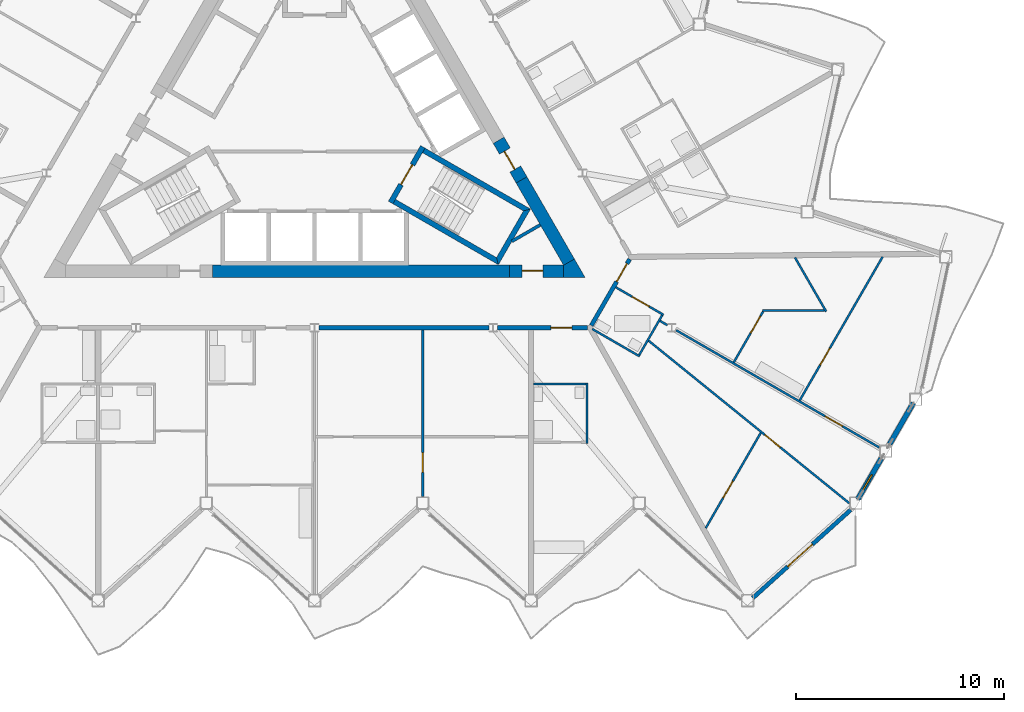
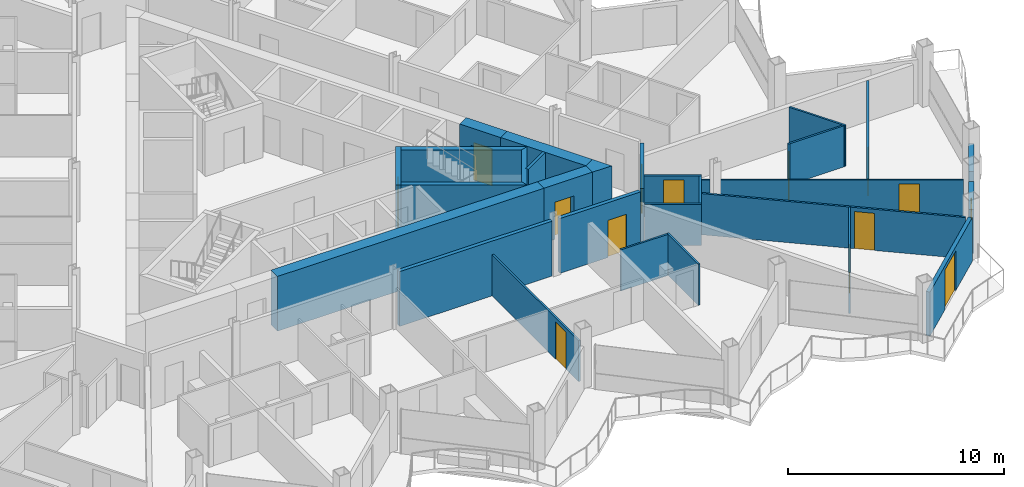
# One storey, part 16 of 27: 30 walls, 13 doors, 1 window, 14 openings.
"""IFC4 building model written with IfcOpenShell, lengths in metres."""

from ifc_helpers import new_model, si_unit, direction, frame, frame_2d, origin, place, context, subcontext, project, spatial, polyline, rectangle, outline, extrude, material, layer, layer_set, type_object, element, fill, save


model = new_model("IFC4")

# Units and contexts
model_context = context("Model", 3, precision=1e-05, world=origin(), true_north=direction((0.0, 1.0)))
body_context = subcontext(model_context, "Body", "Model", "MODEL_VIEW")
ifc_project = project(units=[si_unit("LENGTHUNIT", "METRE"), si_unit("AREAUNIT", "SQUARE_METRE"), si_unit("VOLUMEUNIT", "CUBIC_METRE"), si_unit("PLANEANGLEUNIT", "RADIAN"), si_unit("MASSUNIT", "GRAM", prefix="KILO")], contexts=[model_context])

# Site, building, storey
site_placement = place(None, origin())
site = spatial("IfcSite", under=ifc_project, at=site_placement, CompositionType="ELEMENT")
building_placement = place(site_placement, origin())
building = spatial("IfcBuilding", under=site, at=building_placement, Name="Cormorant Prow Tower", CompositionType="ELEMENT")
storey_placement = place(building_placement, frame((0.0, 0.0, 335.800048828125)))
storey = spatial("IfcBuildingStorey", under=building, at=storey_placement, Name="L75", CompositionType="ELEMENT", Elevation=335.800048828125)

# Walls
ifc_material_1 = material(Name="Gypsum board partition")
ifc_layer_1 = layer(ifc_material_1, 0.14990234375)
ifc_layer_set_1 = layer_set([ifc_layer_1], Name="Gypsum board partition")
wall_type_1 = type_object("IfcWallType", Name="Core partition 150", PredefinedType="PARTITIONING", material=ifc_layer_set_1)
wall_1_placement = place(storey_placement, frame((10.841796875, -4.96728515625, 0.0), z_axis=(0.0, 0.0, 1.0), x_axis=(-0.866098216386, -0.499873863663, 0.0)))
element("IfcWall", 1, at=wall_1_placement, inside=storey, type_object=wall_type_1, Name="Service room partition", PredefinedType="PARTITIONING", context=body_context, shape_type="SweptSolid", body=[
    extrude(rectangle(XDim=1.58203125, YDim=0.14990234375, at=frame_2d((0.791015625, 0.0))), origin(), (0.0, 0.0, 1.0), 3.099853515625),
])
ifc_material_2 = material(Name="Concrete 8000 psi", Category="concrete")
ifc_layer_2 = layer(ifc_material_2, 0.60009765625)
ifc_layer_set_2 = layer_set([ifc_layer_2], Name="Concrete 8000 psi")
wall_type_2 = type_object("IfcWallType", Name="Core shear wall 600", PredefinedType="SHEAR", material=ifc_layer_set_2)
wall_2_placement = place(storey_placement, frame((-4.89208984375, -7.20556640625, 0.0), z_axis=(0.0, 0.0, 1.0), x_axis=(1.0, 0.0, 0.0)))
element("IfcWall", 2, at=wall_2_placement, inside=storey, type_object=wall_type_2, Name="Core wall", PredefinedType="SHEAR", context=body_context, shape_type="SweptSolid", body=[
    extrude(rectangle(XDim=14.2607421875, YDim=0.60009765625, at=frame_2d((7.13037109375, 0.0))), origin(), (0.0, 0.0, 1.0), 3.099853515625),
])
wall_3_placement = place(storey_placement, frame((12.220703125, -6.755615234375, 0.0), z_axis=(0.0, 0.0, 1.0), x_axis=(-0.500020646047, 0.866013483456, 0.0)))
element("IfcWall", 3, at=wall_3_placement, inside=storey, type_object=wall_type_2, Name="Core wall", PredefinedType="SHEAR", context=body_context, shape_type="SweptSolid", body=[
    extrude(rectangle(XDim=4.559326171875, YDim=0.60009765625, at=frame_2d((2.27978515625, 0.0))), origin(), (0.0, 0.0, 1.0), 3.099853515625),
])
wall_4_placement = place(storey_placement, origin())
element("IfcWall", 4, at=wall_4_placement, inside=storey, type_object=wall_type_2, Name="Core wall corner", PredefinedType="SHEAR", context=body_context, shape_type="SweptSolid", body=[
    extrude(outline(polyline([(11.960693359375, -7.505615234375), (11.960693359375, -6.905517578125), (12.48046875, -6.605712890625), (13.0, -7.505615234375), (11.960693359375, -7.505615234375)])), origin(), (0.0, 0.0, 1.0), 3.099853515625),
])

# Wall, opening, door
wall_5_placement = place(storey_placement, frame((9.36865234375, -7.20556640625, 0.0), z_axis=(0.0, 0.0, 1.0), x_axis=(1.0, 0.0, 0.0)))
wall_5 = element("IfcWall", 5, at=wall_5_placement, inside=storey, type_object=wall_type_2, Name="Core wall door panel", PredefinedType="SHEAR", context=body_context, shape_type="SweptSolid", body=[
    extrude(rectangle(XDim=2.592041015625, YDim=0.60009765625, at=frame_2d((1.2958984375, 0.0))), origin(), (0.0, 0.0, 1.0), 3.099853515625),
])
opening_1_placement = place(wall_5_placement, frame((0.60009765625, 0.0, 0.0)))
opening_1 = element("IfcOpeningElement", 6, at=opening_1_placement, cuts=wall_5, Name="Opening L75-C15", PredefinedType="OPENING", context=body_context, shape_type="SweptSolid", body=[
    extrude(rectangle(XDim=1.0, YDim=2.10009765625, at=frame_2d((0.5, 1.050048828125))), frame((0.0, 0.31005859375, 0.0), z_axis=(0.0, -1.0, 0.0), x_axis=(1.0, 0.0, 0.0)), (0.0, 0.0, 1.0), 0.6201171875),
])
ifc_material_3 = material(Name="Painted steel", Category="steel")
door_type_1 = type_object("IfcDoorType", Name="Service door 1000x2100", OperationType="NOTDEFINED", PredefinedType="DOOR", material=ifc_material_3)
door_1_placement = place(opening_1_placement, origin())
door_1 = element("IfcDoor", 7, at=door_1_placement, inside=storey, type_object=door_type_1, Name="Core door, Telecom room", OperationType="SINGLE_SWING_RIGHT", OverallHeight=2.10009765625, OverallWidth=1.0, PredefinedType="DOOR", context=body_context, shape_type="SweptSolid", body=[
    extrude(rectangle(XDim=1.0, YDim=2.10009765625, at=frame_2d((0.5, 1.050048828125))), frame((0.0, 0.05517578125, 0.0), z_axis=(0.0, -1.0, 0.0), x_axis=(1.0, 0.0, 0.0)), (0.0, 0.0, 1.0), 0.050048828125),
])
fill(opening_1, door_1)

wall_6_placement = place(storey_placement, frame((9.94091796875, -2.80712890625, 0.0), z_axis=(0.0, 0.0, 1.0), x_axis=(-0.499994660107, 0.866028486751, 0.0)))
wall_6 = element("IfcWall", 8, at=wall_6_placement, inside=storey, type_object=wall_type_2, Name="Core wall door panel", PredefinedType="SHEAR", context=body_context, shape_type="SweptSolid", body=[
    extrude(rectangle(XDim=2.19970703125, YDim=0.60009765625, at=frame_2d((1.099853515625, 0.0))), origin(), (0.0, 0.0, 1.0), 3.099853515625),
])
opening_2_placement = place(wall_6_placement, frame((0.60009765625, 0.0, 0.0)))
opening_2 = element("IfcOpeningElement", 9, at=opening_2_placement, cuts=wall_6, Name="Opening L75-C17", PredefinedType="OPENING", context=body_context, shape_type="SweptSolid", body=[
    extrude(rectangle(XDim=1.0, YDim=2.10009765625, at=frame_2d((0.5, 1.050048828125))), frame((0.0, 0.31005859375, 0.0), z_axis=(0.0, -1.0, 0.0), x_axis=(1.0, 0.0, 0.0)), (0.0, 0.0, 1.0), 0.6201171875),
])
door_2_placement = place(opening_2_placement, origin())
door_2 = element("IfcDoor", 10, at=door_2_placement, inside=storey, type_object=door_type_1, Name="Core door, Electrical room", OperationType="SINGLE_SWING_LEFT", OverallHeight=2.10009765625, OverallWidth=1.0, PredefinedType="DOOR", context=body_context, shape_type="SweptSolid", body=[
    extrude(rectangle(XDim=1.0, YDim=2.10009765625, at=frame_2d((0.5, 1.050048828125))), frame((0.0, 0.05517578125, 0.0), z_axis=(0.0, -1.0, 0.0), x_axis=(1.0, 0.0, 0.0)), (0.0, 0.0, 1.0), 0.050048828125),
])
fill(opening_2, door_2)

# Wall
ifc_material_4 = material(Name="Gypsum board corridor wall")
ifc_layer_3 = layer(ifc_material_4, 0.199951171875)
ifc_layer_set_3 = layer_set([ifc_layer_3], Name="Gypsum board corridor wall")
wall_type_3 = type_object("IfcWallType", Name="Corridor wall 200", PredefinedType="PARTITIONING", material=ifc_layer_set_3)
wall_7_placement = place(storey_placement, frame((0.207763671875, -9.905517578125, 0.0), z_axis=(0.0, 0.0, 1.0), x_axis=(1.0, 0.0, 0.0)))
element("IfcWall", 11, at=wall_7_placement, inside=storey, type_object=wall_type_3, Name="Corridor wall", PredefinedType="PARTITIONING", context=body_context, shape_type="SweptSolid", body=[
    extrude(rectangle(XDim=8.1630859375, YDim=0.199951171875, at=frame_2d((4.08154296875, 0.0))), origin(), (0.0, 0.0, 1.0), 3.099853515625),
])

# Wall, opening, door
wall_8_placement = place(storey_placement, frame((8.7861328125, -9.905517578125, 0.0), z_axis=(0.0, 0.0, 1.0), x_axis=(1.0, 0.0, 0.0)))
wall_8 = element("IfcWall", 12, at=wall_8_placement, inside=storey, type_object=wall_type_3, Name="Corridor wall", PredefinedType="PARTITIONING", context=body_context, shape_type="SweptSolid", body=[
    extrude(rectangle(XDim=4.31982421875, YDim=0.199951171875, at=frame_2d((2.159912109375, 0.0))), origin(), (0.0, 0.0, 1.0), 3.099853515625),
])
opening_3_placement = place(wall_8_placement, frame((2.566162109375, 0.0, 0.0)))
opening_3 = element("IfcOpeningElement", 13, at=opening_3_placement, cuts=wall_8, Name="Opening L75-F13", PredefinedType="OPENING", context=body_context, shape_type="SweptSolid", body=[
    extrude(rectangle(XDim=1.0, YDim=2.10009765625, at=frame_2d((0.5, 1.050048828125))), frame((0.0, 0.10986328125, 0.0), z_axis=(0.0, -1.0, 0.0), x_axis=(1.0, 0.0, 0.0)), (0.0, 0.0, 1.0), 0.219970703125),
])
ifc_material_5 = material(Name="Timber door leaf", Category="wood")
door_type_2 = type_object("IfcDoorType", Name="Flat or room entrance door 1000x2100", OperationType="NOTDEFINED", PredefinedType="DOOR", material=ifc_material_5)
door_3_placement = place(opening_3_placement, origin())
door_3 = element("IfcDoor", 14, at=door_3_placement, inside=storey, type_object=door_type_2, Name="Studio living, kitchen and sleeping room door", OperationType="SINGLE_SWING_RIGHT", OverallHeight=2.10009765625, OverallWidth=1.0, PredefinedType="DOOR", context=body_context, shape_type="SweptSolid", body=[
    extrude(rectangle(XDim=1.0, YDim=2.10009765625, at=frame_2d((0.5, 1.050048828125))), frame((0.0, 0.02490234375, 0.0), z_axis=(0.0, -1.0, 0.0), x_axis=(1.0, 0.0, 0.0)), (0.0, 0.0, 1.0), 0.050048828125),
])
fill(opening_3, door_3)

wall_9_placement = place(storey_placement, frame((13.29345703125, -9.79736328125, 0.0), z_axis=(0.0, 0.0, 1.0), x_axis=(0.499967746641, 0.866044024469, 0.0)))
wall_9 = element("IfcWall", 15, at=wall_9_placement, inside=storey, type_object=wall_type_3, Name="Corridor wall", PredefinedType="PARTITIONING", context=body_context, shape_type="SweptSolid", body=[
    extrude(rectangle(XDim=3.676025390625, YDim=0.199951171875, at=frame_2d((1.837890625, 0.0))), origin(), (0.0, 0.0, 1.0), 3.099853515625),
])
opening_4_placement = place(wall_9_placement, frame((2.426025390625, 0.0, 0.0)))
opening_4 = element("IfcOpeningElement", 16, at=opening_4_placement, cuts=wall_9, Name="Opening L75-F15", PredefinedType="OPENING", context=body_context, shape_type="SweptSolid", body=[
    extrude(rectangle(XDim=1.0, YDim=2.10009765625, at=frame_2d((0.5, 1.050048828125))), frame((0.0, 0.10986328125, 0.0), z_axis=(0.0, -1.0, 0.0), x_axis=(1.0, 0.0, 0.0)), (0.0, 0.0, 1.0), 0.219970703125),
])
door_4_placement = place(opening_4_placement, origin())
door_4 = element("IfcDoor", 17, at=door_4_placement, inside=storey, type_object=door_type_2, Name="Living room door", OperationType="SINGLE_SWING_RIGHT", OverallHeight=2.10009765625, OverallWidth=1.0, PredefinedType="DOOR", context=body_context, shape_type="SweptSolid", body=[
    extrude(rectangle(XDim=1.0, YDim=2.10009765625, at=frame_2d((0.5, 1.050048828125))), frame((0.0, 0.02490234375, 0.0), z_axis=(0.0, -1.0, 0.0), x_axis=(1.0, 0.0, 0.0)), (0.0, 0.0, 1.0), 0.050048828125),
])
fill(opening_4, door_4)

ifc_material_6 = material(Name="Gypsum board partition")
ifc_layer_4 = layer(ifc_material_6, 0.10009765625)
ifc_layer_set_4 = layer_set([ifc_layer_4], Name="Gypsum board partition")
wall_type_4 = type_object("IfcWallType", Name="Internal partition 100", PredefinedType="PARTITIONING", material=ifc_layer_set_4)
wall_10_placement = place(storey_placement, frame((16.04443359375, -10.531005859375, 0.0), z_axis=(0.0, 0.0, 1.0), x_axis=(0.777141742697, -0.629325600749, 0.0)))
wall_10 = element("IfcWall", 18, at=wall_10_placement, inside=storey, type_object=wall_type_4, Name="Internal partition", PredefinedType="PARTITIONING", context=body_context, shape_type="SweptSolid", body=[
    extrude(rectangle(XDim=12.405517578125, YDim=0.10009765625, at=frame_2d((6.20263671875, 0.0))), origin(), (0.0, 0.0, 1.0), 2.330078125),
])
opening_5_placement = place(wall_10_placement, frame((7.18505859375, 0.0, 0.0)))
opening_5 = element("IfcOpeningElement", 19, at=opening_5_placement, cuts=wall_10, Name="Opening L75-F20", PredefinedType="OPENING", context=body_context, shape_type="SweptSolid", body=[
    extrude(rectangle(XDim=0.949951171875, YDim=2.10009765625, at=frame_2d((0.47509765625, 1.050048828125))), frame((0.0, 0.06005859375, 0.0), z_axis=(0.0, -1.0, 0.0), x_axis=(1.0, 0.0, 0.0)), (0.0, 0.0, 1.0), 0.1201171875),
])
ifc_material_7 = material(Name="Timber door leaf", Category="wood")
door_type_3 = type_object("IfcDoorType", Name="Bathroom door 950x2100", OperationType="NOTDEFINED", PredefinedType="DOOR", material=ifc_material_7)
door_5_placement = place(opening_5_placement, origin())
door_5 = element("IfcDoor", 20, at=door_5_placement, inside=storey, type_object=door_type_3, Name="Bedroom door", OperationType="SINGLE_SWING_LEFT", OverallHeight=2.10009765625, OverallWidth=0.949951171875, PredefinedType="DOOR", context=body_context, shape_type="SweptSolid", body=[
    extrude(rectangle(XDim=0.949951171875, YDim=2.10009765625, at=frame_2d((0.47509765625, 1.050048828125))), frame((0.0, 0.02490234375, 0.0), z_axis=(0.0, -1.0, 0.0), x_axis=(1.0, 0.0, 0.0)), (0.0, 0.0, 1.0), 0.050048828125),
])
fill(opening_5, door_5)

wall_11_placement = place(storey_placement, frame((17.364501953125, -10.025390625, 0.0), z_axis=(0.0, 0.0, 1.0), x_axis=(0.866021046153, -0.500007547564, 0.0)))
wall_11 = element("IfcWall", 21, at=wall_11_placement, inside=storey, type_object=wall_type_4, Name="Internal partition", PredefinedType="PARTITIONING", context=body_context, shape_type="SweptSolid", body=[
    extrude(rectangle(XDim=11.267333984375, YDim=0.10009765625, at=frame_2d((5.6337890625, 0.0))), origin(), (0.0, 0.0, 1.0), 2.330078125),
])
opening_6_placement = place(wall_11_placement, frame((8.263916015625, 0.0, 0.0)))
opening_6 = element("IfcOpeningElement", 22, at=opening_6_placement, cuts=wall_11, Name="Opening L75-F19", PredefinedType="OPENING", context=body_context, shape_type="SweptSolid", body=[
    extrude(rectangle(XDim=0.949951171875, YDim=2.10009765625, at=frame_2d((0.47509765625, 1.050048828125))), frame((0.0, 0.06005859375, 0.0), z_axis=(0.0, -1.0, 0.0), x_axis=(1.0, 0.0, 0.0)), (0.0, 0.0, 1.0), 0.1201171875),
])
door_6_placement = place(opening_6_placement, origin())
door_6 = element("IfcDoor", 23, at=door_6_placement, inside=storey, type_object=door_type_3, Name="Dining room door", OperationType="SINGLE_SWING_RIGHT", OverallHeight=2.10009765625, OverallWidth=0.949951171875, PredefinedType="DOOR", context=body_context, shape_type="SweptSolid", body=[
    extrude(rectangle(XDim=0.949951171875, YDim=2.10009765625, at=frame_2d((0.47509765625, 1.050048828125))), frame((0.0, 0.02490234375, 0.0), z_axis=(0.0, -1.0, 0.0), x_axis=(1.0, 0.0, 0.0)), (0.0, 0.0, 1.0), 0.050048828125),
])
fill(opening_6, door_6)

wall_12_placement = place(storey_placement, frame((5.1962890625, -18.016845703125, 0.0), z_axis=(0.0, 0.0, 1.0), x_axis=(0.0, 1.0, 0.0)))
wall_12 = element("IfcWall", 24, at=wall_12_placement, inside=storey, type_object=wall_type_4, Name="Internal partition", PredefinedType="PARTITIONING", context=body_context, shape_type="SweptSolid", body=[
    extrude(rectangle(XDim=8.01123046875, YDim=0.10009765625, at=frame_2d((4.005615234375, 0.0))), origin(), (0.0, 0.0, 1.0), 2.330078125),
])
opening_7_placement = place(wall_12_placement, frame((1.158447265625, 0.0, 0.0)))
opening_7 = element("IfcOpeningElement", 25, at=opening_7_placement, cuts=wall_12, Name="Opening L75-F10", PredefinedType="OPENING", context=body_context, shape_type="SweptSolid", body=[
    extrude(rectangle(XDim=0.949951171875, YDim=2.10009765625, at=frame_2d((0.47509765625, 1.050048828125))), frame((0.0, 0.06005859375, 0.0), z_axis=(0.0, -1.0, 0.0), x_axis=(1.0, 0.0, 0.0)), (0.0, 0.0, 1.0), 0.1201171875),
])
door_7_placement = place(opening_7_placement, origin())
door_7 = element("IfcDoor", 26, at=door_7_placement, inside=storey, type_object=door_type_3, Name="Bedroom door", OperationType="SINGLE_SWING_RIGHT", OverallHeight=2.10009765625, OverallWidth=0.949951171875, PredefinedType="DOOR", context=body_context, shape_type="SweptSolid", body=[
    extrude(rectangle(XDim=0.949951171875, YDim=2.10009765625, at=frame_2d((0.47509765625, 1.050048828125))), frame((0.0, 0.02490234375, 0.0), z_axis=(0.0, -1.0, 0.0), x_axis=(1.0, 0.0, 0.0)), (0.0, 0.0, 1.0), 0.050048828125),
])
fill(opening_7, door_7)

wall_13_placement = place(storey_placement, frame((23.30078125, -13.39501953125, 0.0), z_axis=(0.0, 0.0, 1.0), x_axis=(0.500017325895, 0.866015400443, 0.0)))
wall_13 = element("IfcWall", 27, at=wall_13_placement, inside=storey, type_object=wall_type_4, Name="Internal partition", PredefinedType="PARTITIONING", context=body_context, shape_type="SweptSolid", body=[
    extrude(rectangle(XDim=7.955322265625, YDim=0.10009765625, at=frame_2d((3.9775390625, 0.0))), origin(), (0.0, 0.0, 1.0), 2.330078125),
])
opening_8_placement = place(wall_13_placement, frame((1.951416015625, 0.0, 0.0)))
opening_8 = element("IfcOpeningElement", 28, at=opening_8_placement, cuts=wall_13, Name="Opening L75-F18", PredefinedType="OPENING", context=body_context, shape_type="SweptSolid", body=[
    extrude(rectangle(XDim=0.949951171875, YDim=2.10009765625, at=frame_2d((0.47509765625, 1.050048828125))), frame((0.0, 0.06005859375, 0.0), z_axis=(0.0, -1.0, 0.0), x_axis=(1.0, 0.0, 0.0)), (0.0, 0.0, 1.0), 0.1201171875),
])
door_8_placement = place(opening_8_placement, origin())
door_8 = element("IfcDoor", 29, at=door_8_placement, inside=storey, type_object=door_type_3, Name="Kitchen door", OperationType="SINGLE_SWING_RIGHT", OverallHeight=2.10009765625, OverallWidth=0.949951171875, PredefinedType="DOOR", context=body_context, shape_type="SweptSolid", body=[
    extrude(rectangle(XDim=0.949951171875, YDim=2.10009765625, at=frame_2d((0.47509765625, 1.050048828125))), frame((0.0, 0.02490234375, 0.0), z_axis=(0.0, -1.0, 0.0), x_axis=(1.0, 0.0, 0.0)), (0.0, 0.0, 1.0), 0.050048828125),
])
fill(opening_8, door_8)

wall_14_placement = place(storey_placement, frame((18.786865234375, -19.52880859375, 0.0), z_axis=(0.0, 0.0, 1.0), x_axis=(0.499986503906, 0.866033195618, 0.0)))
wall_14 = element("IfcWall", 30, at=wall_14_placement, inside=storey, type_object=wall_type_4, Name="Internal partition", PredefinedType="PARTITIONING", context=body_context, shape_type="SweptSolid", body=[
    extrude(rectangle(XDim=5.282470703125, YDim=0.10009765625, at=frame_2d((2.64111328125, 0.0))), origin(), (0.0, 0.0, 1.0), 2.330078125),
])
opening_9_placement = place(wall_14_placement, frame((1.661865234375, 0.0, 0.0)))
opening_9 = element("IfcOpeningElement", 31, at=opening_9_placement, cuts=wall_14, Name="Opening L75-F21", PredefinedType="OPENING", context=body_context, shape_type="SweptSolid", body=[
    extrude(rectangle(XDim=0.949951171875, YDim=2.10009765625, at=frame_2d((0.47509765625, 1.050048828125))), frame((0.0, 0.06005859375, 0.0), z_axis=(0.0, -1.0, 0.0), x_axis=(1.0, 0.0, 0.0)), (0.0, 0.0, 1.0), 0.1201171875),
])
door_9_placement = place(opening_9_placement, origin())
door_9 = element("IfcDoor", 32, at=door_9_placement, inside=storey, type_object=door_type_3, Name="Bedroom door", OperationType="SINGLE_SWING_LEFT", OverallHeight=2.10009765625, OverallWidth=0.949951171875, PredefinedType="DOOR", context=body_context, shape_type="SweptSolid", body=[
    extrude(rectangle(XDim=0.949951171875, YDim=2.10009765625, at=frame_2d((0.47509765625, 1.050048828125))), frame((0.0, 0.02490234375, 0.0), z_axis=(0.0, -1.0, 0.0), x_axis=(1.0, 0.0, 0.0)), (0.0, 0.0, 1.0), 0.050048828125),
])
fill(opening_9, door_9)

# Walls
wall_15_placement = place(storey_placement, frame((23.071533203125, -6.533203125, 0.0), z_axis=(0.0, 0.0, 1.0), x_axis=(0.500009026289, -0.866020192391, 0.0)))
element("IfcWall", 33, at=wall_15_placement, inside=storey, type_object=wall_type_4, Name="Internal partition", PredefinedType="PARTITIONING", context=body_context, shape_type="SweptSolid", body=[
    extrude(rectangle(XDim=2.9990234375, YDim=0.10009765625, at=frame_2d((1.49951171875, 0.0))), origin(), (0.0, 0.0, 1.0), 2.330078125),
])
wall_16_placement = place(storey_placement, frame((21.51513671875, -9.087158203125, 0.0), z_axis=(0.0, 0.0, 1.0), x_axis=(1.0, 0.0, 0.0)))
element("IfcWall", 34, at=wall_16_placement, inside=storey, type_object=wall_type_4, Name="Internal partition", PredefinedType="PARTITIONING", context=body_context, shape_type="SweptSolid", body=[
    extrude(rectangle(XDim=2.98095703125, YDim=0.10009765625, at=frame_2d((1.490478515625, 0.0))), origin(), (0.0, 0.0, 1.0), 2.330078125),
])

# Wall, opening, door
wall_17_placement = place(storey_placement, frame((20.1337890625, -11.56640625, 0.0), z_axis=(0.0, 0.0, 1.0), x_axis=(0.499947857008, 0.866055506462, 0.0)))
wall_17 = element("IfcWall", 35, at=wall_17_placement, inside=storey, type_object=wall_type_4, Name="Internal partition", PredefinedType="PARTITIONING", context=body_context, shape_type="SweptSolid", body=[
    extrude(rectangle(XDim=2.812744140625, YDim=0.10009765625, at=frame_2d((1.40625, 0.0))), origin(), (0.0, 0.0, 1.0), 2.330078125),
])
opening_10_placement = place(wall_17_placement, frame((1.613037109375, 0.0, 0.0)))
opening_10 = element("IfcOpeningElement", 36, at=opening_10_placement, cuts=wall_17, Name="Opening L75-F17", PredefinedType="OPENING", context=body_context, shape_type="SweptSolid", body=[
    extrude(rectangle(XDim=0.949951171875, YDim=2.10009765625, at=frame_2d((0.47509765625, 1.050048828125))), frame((0.0, 0.06005859375, 0.0), z_axis=(0.0, -1.0, 0.0), x_axis=(1.0, 0.0, 0.0)), (0.0, 0.0, 1.0), 0.1201171875),
])
door_10_placement = place(opening_10_placement, origin())
door_10 = element("IfcDoor", 37, at=door_10_placement, inside=storey, type_object=door_type_3, Name="Living room door", OperationType="SINGLE_SWING_RIGHT", OverallHeight=2.10009765625, OverallWidth=0.949951171875, PredefinedType="DOOR", context=body_context, shape_type="SweptSolid", body=[
    extrude(rectangle(XDim=0.949951171875, YDim=2.10009765625, at=frame_2d((0.47509765625, 1.050048828125))), frame((0.0, 0.02490234375, 0.0), z_axis=(0.0, -1.0, 0.0), x_axis=(1.0, 0.0, 0.0)), (0.0, 0.0, 1.0), 0.050048828125),
])
fill(opening_10, door_10)

# Walls
wall_18_placement = place(storey_placement, frame((13.092529296875, -15.45556640625, 0.0), z_axis=(0.0, 0.0, 1.0), x_axis=(0.0, 1.0, 0.0)))
element("IfcWall", 38, at=wall_18_placement, inside=storey, type_object=wall_type_4, Name="Internal partition", PredefinedType="PARTITIONING", context=body_context, shape_type="SweptSolid", body=[
    extrude(rectangle(XDim=2.89990234375, YDim=0.10009765625, at=frame_2d((1.449951171875, 0.0))), origin(), (0.0, 0.0, 1.0), 2.330078125),
])
wall_19_placement = place(storey_placement, frame((10.517578125, -12.605712890625, 0.0), z_axis=(0.0, 0.0, 1.0), x_axis=(1.0, 0.0, 0.0)))
element("IfcWall", 39, at=wall_19_placement, inside=storey, type_object=wall_type_4, Name="Internal partition", PredefinedType="PARTITIONING", context=body_context, shape_type="SweptSolid", body=[
    extrude(rectangle(XDim=2.52490234375, YDim=0.10009765625, at=frame_2d((1.262451171875, 0.0))), origin(), (0.0, 0.0, 1.0), 2.330078125),
])

# Wall, opening, door
wall_20_placement = place(storey_placement, frame((14.467529296875, -7.963623046875, 0.0), z_axis=(0.0, 0.0, 1.0), x_axis=(0.865989200783, -0.500062700197, 0.0)))
wall_20 = element("IfcWall", 40, at=wall_20_placement, inside=storey, type_object=wall_type_4, Name="Internal partition", PredefinedType="PARTITIONING", context=body_context, shape_type="SweptSolid", body=[
    extrude(rectangle(XDim=2.650146484375, YDim=0.10009765625, at=frame_2d((1.3251953125, 0.0))), origin(), (0.0, 0.0, 1.0), 2.330078125),
])
opening_11_placement = place(wall_20_placement, frame((0.904541015625, 0.0, 0.0)))
opening_11 = element("IfcOpeningElement", 41, at=opening_11_placement, cuts=wall_20, Name="Opening L75-F16", PredefinedType="OPENING", context=body_context, shape_type="SweptSolid", body=[
    extrude(rectangle(XDim=0.949951171875, YDim=2.10009765625, at=frame_2d((0.47509765625, 1.050048828125))), frame((0.0, 0.06005859375, 0.0), z_axis=(0.0, -1.0, 0.0), x_axis=(1.0, 0.0, 0.0)), (0.0, 0.0, 1.0), 0.1201171875),
])
door_11_placement = place(opening_11_placement, origin())
door_11 = element("IfcDoor", 42, at=door_11_placement, inside=storey, type_object=door_type_3, Name="Living room door", OperationType="SINGLE_SWING_RIGHT", OverallHeight=2.10009765625, OverallWidth=0.949951171875, PredefinedType="DOOR", context=body_context, shape_type="SweptSolid", body=[
    extrude(rectangle(XDim=0.949951171875, YDim=2.10009765625, at=frame_2d((0.47509765625, 1.050048828125))), frame((0.0, 0.02490234375, 0.0), z_axis=(0.0, -1.0, 0.0), x_axis=(1.0, 0.0, 0.0)), (0.0, 0.0, 1.0), 0.050048828125),
])
fill(opening_11, door_11)

# Walls
wall_21_placement = place(storey_placement, frame((13.339111328125, -9.968017578125, 0.0), z_axis=(0.0, 0.0, 1.0), x_axis=(0.866036909293, -0.499980071345, 0.0)))
element("IfcWall", 43, at=wall_21_placement, inside=storey, type_object=wall_type_4, Name="Internal partition", PredefinedType="PARTITIONING", context=body_context, shape_type="SweptSolid", body=[
    extrude(rectangle(XDim=2.625, YDim=0.10009765625, at=frame_2d((1.3125, 0.0))), origin(), (0.0, 0.0, 1.0), 2.330078125),
])
wall_22_placement = place(storey_placement, frame((15.59423828125, -11.21240234375, 0.0), z_axis=(0.0, 0.0, 1.0), x_axis=(0.499898558967, 0.866083962871, 0.0)))
element("IfcWall", 44, at=wall_22_placement, inside=storey, type_object=wall_type_4, Name="Internal partition", PredefinedType="PARTITIONING", context=body_context, shape_type="SweptSolid", body=[
    extrude(rectangle(XDim=2.2001953125, YDim=0.10009765625, at=frame_2d((1.10009765625, 0.0))), origin(), (0.0, 0.0, 1.0), 2.330078125),
])
wall_23_placement = place(storey_placement, frame((16.593994140625, -9.58056640625, 0.0), z_axis=(0.0, 0.0, 1.0), x_axis=(0.866036909293, -0.499980071345, 0.0)))
element("IfcWall", 45, at=wall_23_placement, inside=storey, type_object=wall_type_4, Name="Internal partition", PredefinedType="PARTITIONING", context=body_context, shape_type="SweptSolid", body=[
    extrude(rectangle(XDim=0.41015625, YDim=0.10009765625, at=frame_2d((0.205078125, 0.0))), origin(), (0.0, 0.0, 1.0), 2.330078125),
])
ifc_material_8 = material(Name="Concrete 8000 psi", Category="concrete")
ifc_layer_5 = layer(ifc_material_8, 0.25)
ifc_layer_set_5 = layer_set([ifc_layer_5], Name="Concrete 8000 psi")
wall_type_5 = type_object("IfcWallType", Name="Stair wall 250", PredefinedType="SHEAR", material=ifc_layer_set_5)
wall_24_placement = place(storey_placement, origin())
element("IfcWall", 46, at=wall_24_placement, inside=storey, type_object=wall_type_5, Name="Stair ST2 enclosure wall (flank)", PredefinedType="SHEAR", context=body_context, shape_type="SweptSolid", body=[
    extrude(outline(polyline([(3.76318359375, -3.95556640625), (8.82958984375, -6.880615234375), (8.738037109375, -6.5390625), (3.88818359375, -3.739013671875), (3.76318359375, -3.95556640625)])), origin(), (0.0, 0.0, 1.0), 3.099853515625),
])
wall_25_placement = place(storey_placement, origin())
element("IfcWall", 47, at=wall_25_placement, inside=storey, type_object=wall_type_5, Name="Stair ST2 enclosure wall (end)", PredefinedType="SHEAR", context=body_context, shape_type="SweptSolid", body=[
    extrude(outline(polyline([(8.82958984375, -6.880615234375), (10.37353515625, -4.206298828125), (10.031982421875, -4.2978515625), (8.738037109375, -6.5390625), (8.82958984375, -6.880615234375)])), origin(), (0.0, 0.0, 1.0), 3.099853515625),
])
wall_26_placement = place(storey_placement, origin())
element("IfcWall", 48, at=wall_26_placement, inside=storey, type_object=wall_type_5, Name="Stair ST2 enclosure wall (flank)", PredefinedType="SHEAR", context=body_context, shape_type="SweptSolid", body=[
    extrude(outline(polyline([(10.031982421875, -4.2978515625), (10.37353515625, -4.206298828125), (5.30712890625, -1.28125), (5.18212890625, -1.497802734375), (10.031982421875, -4.2978515625)])), origin(), (0.0, 0.0, 1.0), 3.099853515625),
])

# Wall, opening, door
wall_27_placement = place(storey_placement, frame((3.655029296875, -3.89306640625, 0.0), z_axis=(0.0, 0.0, 1.0), x_axis=(0.499982516597, 0.866035497597, 0.0)))
wall_27 = element("IfcWall", 49, at=wall_27_placement, inside=storey, type_object=wall_type_5, Name="Stair ST2 door wall", PredefinedType="SHEAR", context=body_context, shape_type="SweptSolid", body=[
    extrude(rectangle(XDim=3.087890625, YDim=0.25, at=frame_2d((1.5439453125, 0.0))), origin(), (0.0, 0.0, 1.0), 3.099853515625),
])
opening_12_placement = place(wall_27_placement, frame((0.993896484375, 0.0, 0.0)))
opening_12 = element("IfcOpeningElement", 50, at=opening_12_placement, cuts=wall_27, Name="Opening L75-C13", PredefinedType="OPENING", context=body_context, shape_type="SweptSolid", body=[
    extrude(rectangle(XDim=1.10009765625, YDim=2.10009765625, at=frame_2d((0.550048828125, 1.050048828125))), frame((0.0, 0.135009765625, 0.0), z_axis=(0.0, -1.0, 0.0), x_axis=(1.0, 0.0, 0.0)), (0.0, 0.0, 1.0), 0.27001953125),
])
ifc_material_9 = material(Name="Painted steel", Category="steel")
door_type_4 = type_object("IfcDoorType", Name="Stair door 1100x2100", OperationType="NOTDEFINED", PredefinedType="DOOR", material=ifc_material_9)
door_12_placement = place(opening_12_placement, origin())
door_12 = element("IfcDoor", 51, at=door_12_placement, inside=storey, type_object=door_type_4, Name="Stair ST2 door", OperationType="SINGLE_SWING_RIGHT", OverallHeight=2.10009765625, OverallWidth=1.10009765625, PredefinedType="DOOR", context=body_context, shape_type="SweptSolid", body=[
    extrude(rectangle(XDim=1.10009765625, YDim=2.10009765625, at=frame_2d((0.550048828125, 1.050048828125))), frame((0.0, 0.02490234375, 0.0), z_axis=(0.0, -1.0, 0.0), x_axis=(1.0, 0.0, 0.0)), (0.0, 0.0, 1.0), 0.050048828125),
])
fill(opening_12, door_12)

# Wall, opening, window
ifc_material_10 = material(Name="Terracotta", Category="masonry")
ifc_layer_6 = layer(ifc_material_10, 0.25)
ifc_layer_set_6 = layer_set([ifc_layer_6], Name="Terracotta")
wall_type_6 = type_object("IfcWallType", Name="Terracotta bay wall 250", PredefinedType="SOLIDWALL", material=ifc_layer_set_6)
wall_28_placement = place(storey_placement, frame((26.090087890625, -18.139404296875, 0.0), z_axis=(0.0, 0.0, 1.0), x_axis=(0.500046963369, 0.865998287773, 0.0)))
wall_28 = element("IfcWall", 52, at=wall_28_placement, inside=storey, type_object=wall_type_6, Name="Terracotta bay wall ESE00", PredefinedType="SOLIDWALL", context=body_context, shape_type="SweptSolid", body=[
    extrude(rectangle(XDim=2.257568359375, YDim=0.25, at=frame_2d((1.12890625, 0.0))), origin(), (0.0, 0.0, 1.0), 2.48779296875),
])
opening_13_placement = place(wall_28_placement, frame((0.449951171875, 0.0, 1.60009765625)))
opening_13 = element("IfcOpeningElement", 53, at=opening_13_placement, cuts=wall_28, Name="Opening WN7", PredefinedType="OPENING", context=body_context, shape_type="SweptSolid", body=[
    extrude(rectangle(XDim=0.89990234375, YDim=0.60009765625, at=frame_2d((0.449951171875, 0.300048828125))), frame((0.0, 0.135009765625, 0.0), z_axis=(0.0, -1.0, 0.0), x_axis=(1.0, 0.0, 0.0)), (0.0, 0.0, 1.0), 0.27001953125),
])
ifc_material_11 = material(Name="Aluminium 6063-T6", Category="aluminium")
window_type = type_object("IfcWindowType", Name="Corner bay window 900x600", PartitioningType="SINGLE_PANEL", PredefinedType="WINDOW", material=ifc_material_11)
window_placement = place(opening_13_placement, origin())
window = element("IfcWindow", 54, at=window_placement, inside=storey, type_object=window_type, Name="Corner bay window ESE00", OverallHeight=0.60009765625, OverallWidth=0.89990234375, PartitioningType="SINGLE_PANEL", PredefinedType="WINDOW", context=body_context, shape_type="SweptSolid", body=[
    extrude(rectangle(XDim=0.89990234375, YDim=0.60009765625, at=frame_2d((0.449951171875, 0.300048828125))), frame((0.0, 0.030029296875, 0.0), z_axis=(0.0, -1.0, 0.0), x_axis=(1.0, 0.0, 0.0)), (0.0, 0.0, 1.0), 0.06005859375),
])
fill(opening_13, window)

# Wall
wall_29_placement = place(storey_placement, frame((27.620849609375, -15.488037109375, 0.0), z_axis=(0.0, 0.0, 1.0), x_axis=(0.49996174997, 0.866047486323, 0.0)))
element("IfcWall", 55, at=wall_29_placement, inside=storey, type_object=wall_type_6, Name="Terracotta bay wall ESE01", PredefinedType="SOLIDWALL", context=body_context, shape_type="SweptSolid", body=[
    extrude(rectangle(XDim=2.266845703125, YDim=0.25, at=frame_2d((1.13330078125, 0.0))), origin(), (0.0, 0.0, 1.0), 2.48779296875),
])

# Wall, opening, door
ifc_material_12 = material(Name="Terracotta", Category="masonry")
ifc_layer_7 = layer(ifc_material_12, 0.199951171875)
ifc_layer_set_7 = layer_set([ifc_layer_7], Name="Terracotta")
wall_type_7 = type_object("IfcWallType", Name="Terracotta jamb wall 200", PredefinedType="SOLIDWALL", material=ifc_layer_set_7)
wall_30_placement = place(storey_placement, frame((21.040771484375, -22.891845703125, 0.0), z_axis=(0.0, 0.0, 1.0), x_axis=(0.743129180176, 0.669147981818, 0.0)))
wall_30 = element("IfcWall", 56, at=wall_30_placement, inside=storey, type_object=wall_type_7, Name="Terracotta jamb wall S09", PredefinedType="SOLIDWALL", context=body_context, shape_type="SweptSolid", body=[
    extrude(rectangle(XDim=6.32958984375, YDim=0.199951171875, at=frame_2d((3.164794921875, 0.0))), origin(), (0.0, 0.0, 1.0), 2.48779296875),
])
opening_14_placement = place(wall_30_placement, frame((2.26220703125, 0.0, 0.0)))
opening_14 = element("IfcOpeningElement", 57, at=opening_14_placement, cuts=wall_30, Name="Opening ED75.05", PredefinedType="OPENING", context=body_context, shape_type="SweptSolid", body=[
    extrude(rectangle(XDim=1.60009765625, YDim=2.25, at=frame_2d((0.800048828125, 1.125))), frame((0.0, 0.10986328125, 0.0), z_axis=(0.0, -1.0, 0.0), x_axis=(1.0, 0.0, 0.0)), (0.0, 0.0, 1.0), 0.219970703125),
])
ifc_material_13 = material(Name="Aluminium 6063-T6", Category="aluminium")
door_type_5 = type_object("IfcDoorType", Name="Balcony door 1600x2250", OperationType="DOUBLE_DOOR_SINGLE_SWING", PredefinedType="DOOR", material=ifc_material_13)
door_13_placement = place(opening_14_placement, origin())
door_13 = element("IfcDoor", 58, at=door_13_placement, inside=storey, type_object=door_type_5, Name="Balcony door S09 ED75.05", OperationType="DOUBLE_DOOR_SINGLE_SWING", OverallHeight=2.25, OverallWidth=1.60009765625, PredefinedType="DOOR", context=body_context, shape_type="SweptSolid", body=[
    extrude(rectangle(XDim=1.60009765625, YDim=2.25, at=frame_2d((0.800048828125, 1.125))), frame((0.0, 0.02490234375, 0.0), z_axis=(0.0, -1.0, 0.0), x_axis=(1.0, 0.0, 0.0)), (0.0, 0.0, 1.0), 0.050048828125),
])
fill(opening_14, door_13)

save(model, "model.ifc")
